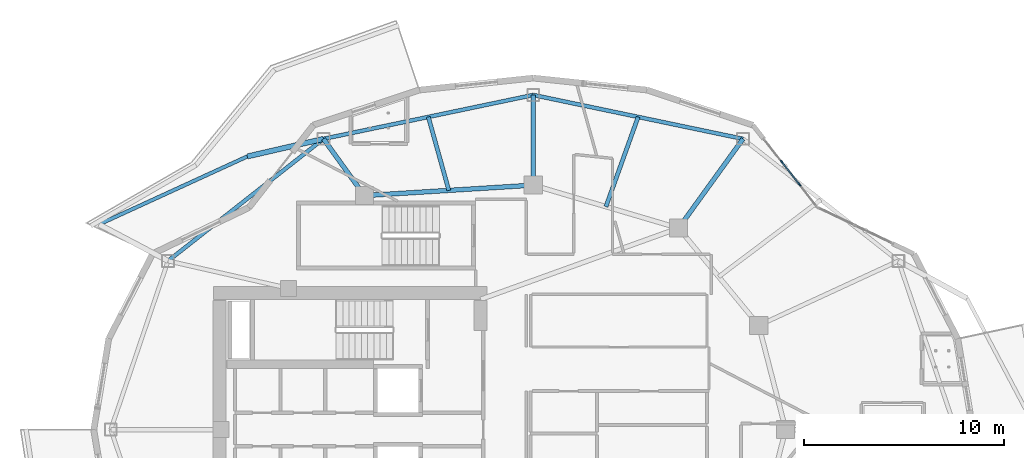
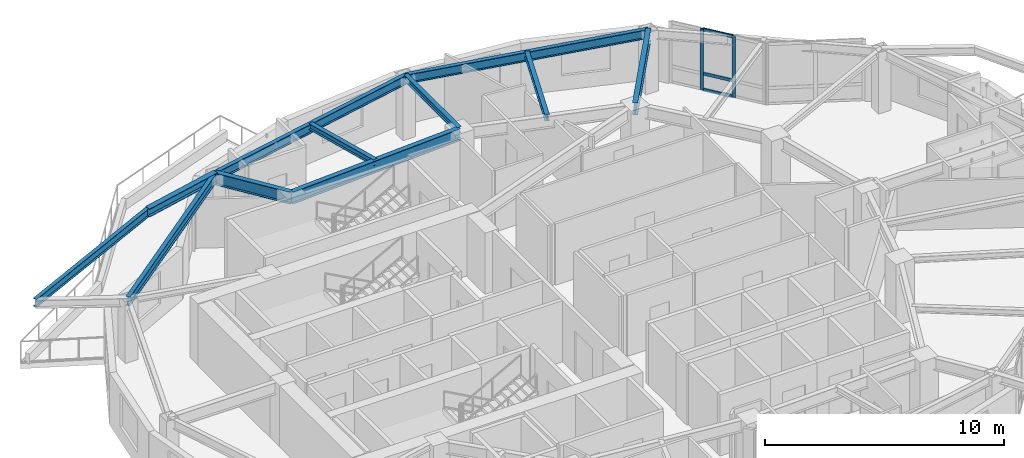
# One storey, part 5 of 18: 11 beams, 5 members, 1 element without a shape of its own.
"""IFC4 building model written with IfcOpenShell, lengths in metres."""

from ifc_helpers import new_model, si_unit, direction, frame, origin, origin_2d, place, context, subcontext, project, spatial, rectangle, i_section, extrude, material, layer, layer_set, material_profile, profile_set, type_object, element, aggregate, save


model = new_model("IFC4")

# Units and contexts
model_context = context("Model", 3, precision=1e-05, world=origin(), true_north=direction((0.0, 1.0)))
body_context = subcontext(model_context, "Body", "Model", "MODEL_VIEW")
ifc_project = project(units=[si_unit("LENGTHUNIT", "METRE"), si_unit("AREAUNIT", "SQUARE_METRE"), si_unit("VOLUMEUNIT", "CUBIC_METRE"), si_unit("PLANEANGLEUNIT", "RADIAN"), si_unit("MASSUNIT", "GRAM", prefix="KILO")], contexts=[model_context])

# Site, building, storey
site_placement = place(None, origin())
site = spatial("IfcSite", under=ifc_project, at=site_placement, CompositionType="ELEMENT")
building_placement = place(site_placement, origin())
building = spatial("IfcBuilding", under=site, at=building_placement, Name="Kolvaren Gate Tower and Convention Centre", CompositionType="ELEMENT")
storey_placement = place(building_placement, frame((0.0, 0.0, 176.699951171875)))
storey = spatial("IfcBuildingStorey", under=building, at=storey_placement, Name="L46", CompositionType="ELEMENT", Elevation=176.699951171875)

# Curtain wall, members
ifc_material_1 = material(Name="Anodized Architectural Aluminium Alloy 6063-T6", Category="aluminium")
ifc_layer = layer(ifc_material_1, 0.159912109375)
ifc_layer_set = layer_set([ifc_layer], Name="Anodized Architectural Aluminium Alloy 6063-T6")
curtain_wall_type = type_object("IfcCurtainWallType", Name="CW-HTL-UNIT", PredefinedType="NOTDEFINED", material=ifc_layer_set)
curtain_wall_placement = place(storey_placement, origin())
curtain_wall = element("IfcCurtainWall", 1, at=curtain_wall_placement, inside=storey, type_object=curtain_wall_type, Name="Tower L46 Unitised Curtain Wall CW-HTL-UNIT Bay 03", PredefinedType="NOTDEFINED")
ifc_material_profile_1 = material_profile(ifc_material_1, rectangle(XDim=0.06494140625, YDim=0.159912109375, at=origin_2d()), Name="CW-MEM-MUL-160")
ifc_profile_set_1 = profile_set([ifc_material_profile_1], Name="Anodized Architectural Aluminium Alloy 6063-T6")
member_type_1 = type_object("IfcMemberType", Name="CW-MEM-MUL-160", PredefinedType="MULLION", material=ifc_profile_set_1)
member_1_placement = place(storey_placement, frame((42.527099609375, 40.367919921875, 0.0), z_axis=(0.0, 0.0, 1.0), x_axis=(0.787403535469, 0.616437890084, 0.0)))
member_1 = element("IfcMember", 2, at=member_1_placement, type_object=member_type_1, Name="CW-03 mullion 2", PredefinedType="MULLION", context=body_context, shape_type="SweptSolid", body=[
    extrude(rectangle(XDim=0.06494140625, YDim=0.159912109375, at=origin_2d()), origin(), (0.0, 0.0, 1.0), 3.130126953125),
])
member_2_placement = place(storey_placement, frame((43.420166015625, 39.22705078125, 0.0), z_axis=(0.0, 0.0, 1.0), x_axis=(0.787403535469, 0.616437890084, 0.0)))
member_2 = element("IfcMember", 3, at=member_2_placement, type_object=member_type_1, Name="CW-03 mullion 3", PredefinedType="MULLION", context=body_context, shape_type="SweptSolid", body=[
    extrude(rectangle(XDim=0.06494140625, YDim=0.159912109375, at=origin_2d()), origin(), (0.0, 0.0, 1.0), 3.130126953125),
])
ifc_material_profile_2 = material_profile(ifc_material_1, rectangle(XDim=0.06494140625, YDim=0.159912109375, at=origin_2d()), Name="CW-MEM-TRN-160")
ifc_profile_set_2 = profile_set([ifc_material_profile_2], Name="Anodized Architectural Aluminium Alloy 6063-T6")
member_type_2 = type_object("IfcMemberType", Name="CW-MEM-TRN-160", PredefinedType="USERDEFINED", material=ifc_profile_set_2)
member_3_placement = place(storey_placement, frame((42.547119140625, 40.34228515625, 0.032470703125), z_axis=(0.616355825524, -0.787467774796, 0.0), x_axis=(0.787467774796, 0.616355825524, 0.0)))
member_3 = element("IfcMember", 4, at=member_3_placement, type_object=member_type_2, Name="CW-03 transom 2.1", ObjectType="TRANSOM", PredefinedType="USERDEFINED", context=body_context, shape_type="SweptSolid", body=[
    extrude(rectangle(XDim=0.06494140625, YDim=0.159912109375, at=origin_2d()), origin(), (0.0, 0.0, 1.0), 1.384033203125),
])
member_4_placement = place(storey_placement, frame((42.547119140625, 40.34228515625, 0.85009765625), z_axis=(0.616355825524, -0.787467774796, 0.0), x_axis=(0.787467774796, 0.616355825524, 0.0)))
member_4 = element("IfcMember", 5, at=member_4_placement, type_object=member_type_2, Name="CW-03 transom 2.2", ObjectType="TRANSOM", PredefinedType="USERDEFINED", context=body_context, shape_type="SweptSolid", body=[
    extrude(rectangle(XDim=0.06494140625, YDim=0.159912109375, at=origin_2d()), origin(), (0.0, 0.0, 1.0), 1.384033203125),
])
member_5_placement = place(storey_placement, frame((42.547119140625, 40.34228515625, 3.09765625), z_axis=(0.616355825524, -0.787467774796, 0.0), x_axis=(0.787467774796, 0.616355825524, 0.0)))
member_5 = element("IfcMember", 6, at=member_5_placement, type_object=member_type_2, Name="CW-03 transom 2.3", ObjectType="TRANSOM", PredefinedType="USERDEFINED", context=body_context, shape_type="SweptSolid", body=[
    extrude(rectangle(XDim=0.06494140625, YDim=0.159912109375, at=origin_2d()), origin(), (0.0, 0.0, 1.0), 1.384033203125),
])
aggregate(curtain_wall, [member_1, member_2, member_3, member_4, member_5])

# Beams
ifc_material_2 = material(Name="Structural steel ASTM A992 Grade 345 MPa", Category="steel")
ifc_material_profile_3 = material_profile(ifc_material_2, i_section(OverallWidth=0.260009765625, OverallDepth=0.419921875, WebThickness=0.013427734375, FlangeThickness=0.0224609375, at=origin_2d()), Name="W410X132")
ifc_profile_set_3 = profile_set([ifc_material_profile_3], Name="Structural steel ASTM A992 Grade 345 MPa")
beam_type_1 = type_object("IfcBeamType", Name="STR-BM-W410X132", PredefinedType="BEAM", material=ifc_profile_set_3)
beam_1_placement = place(storey_placement, frame((19.65380859375, 41.509521484375, 2.920654296875), z_axis=(-0.974393305681, -0.224850363228, 0.0), x_axis=(0.224850363228, -0.974393305681, 0.0)))
element("IfcBeam", 7, at=beam_1_placement, inside=storey, type_object=beam_type_1, Name="Tower L47 Planted Balcony Outrigger Cantilever BC-1A", PredefinedType="BEAM", context=body_context, shape_type="SweptSolid", body=[
    extrude(i_section(OverallWidth=0.260009765625, OverallDepth=0.419921875, WebThickness=0.013427734375, FlangeThickness=0.0224609375, at=origin_2d()), origin(), (0.0, 0.0, 1.0), 3.900146484375),
])
ifc_material_profile_4 = material_profile(ifc_material_2, i_section(OverallWidth=0.22998046875, OverallDepth=0.616943359375, WebThickness=0.01318359375, FlangeThickness=0.022216796875, at=origin_2d()), Name="W610X140")
ifc_profile_set_4 = profile_set([ifc_material_profile_4], Name="Structural steel ASTM A992 Grade 345 MPa")
beam_type_2 = type_object("IfcBeamType", Name="STR-BM-W610X140", PredefinedType="BEAM", material=ifc_profile_set_4)
beam_2_placement = place(storey_placement, frame((30.125, 39.199951171875, 2.821533203125), z_axis=(-0.998078258568, -0.06196603726, 0.0), x_axis=(0.06196603726, -0.998078258568, 0.0)))
element("IfcBeam", 8, at=beam_2_placement, inside=storey, type_object=beam_type_2, Name="Tower L46 Primary Ring Girder G-04", PredefinedType="BEAM", context=body_context, shape_type="SweptSolid", body=[
    extrude(i_section(OverallWidth=0.22998046875, OverallDepth=0.616943359375, WebThickness=0.01318359375, FlangeThickness=0.022216796875, at=origin_2d()), origin(), (0.0, 0.0, 1.0), 8.443115234375),
])
beam_3_placement = place(storey_placement, frame((37.381591796875, 37.054931640625, 2.821533203125), z_axis=(0.58520818289, 0.810883088169, 0.0), x_axis=(-0.810883088169, 0.58520818289, 0.0)))
element("IfcBeam", 9, at=beam_3_placement, inside=storey, type_object=beam_type_2, Name="Tower L46 Radial Floor Girder RB-03", PredefinedType="BEAM", context=body_context, shape_type="SweptSolid", body=[
    extrude(i_section(OverallWidth=0.22998046875, OverallDepth=0.616943359375, WebThickness=0.01318359375, FlangeThickness=0.022216796875, at=origin_2d()), origin(), (0.0, 0.0, 1.0), 5.493408203125),
])
beam_4_placement = place(storey_placement, frame((21.697998046875, 38.6767578125, 2.821533203125), z_axis=(-0.585171547435, 0.810909526441, 0.0), x_axis=(-0.810909526441, -0.585171547435, 0.0)))
element("IfcBeam", 10, at=beam_4_placement, inside=storey, type_object=beam_type_2, Name="Tower L46 Radial Floor Girder RB-05", PredefinedType="BEAM", context=body_context, shape_type="SweptSolid", body=[
    extrude(i_section(OverallWidth=0.22998046875, OverallDepth=0.616943359375, WebThickness=0.01318359375, FlangeThickness=0.022216796875, at=origin_2d()), origin(), (0.0, 0.0, 1.0), 3.493408203125),
])
ifc_material_profile_5 = material_profile(ifc_material_2, i_section(OverallWidth=0.205078125, OverallDepth=0.31005859375, WebThickness=0.009521484375, FlangeThickness=0.016357421875, at=origin_2d()), Name="W310X74")
ifc_profile_set_5 = profile_set([ifc_material_profile_5], Name="Structural steel ASTM A992 Grade 345 MPa")
beam_type_3 = type_object("IfcBeamType", Name="STR-JS-W310X74", PredefinedType="JOIST", material=ifc_profile_set_5)
beam_5_placement = place(storey_placement, frame((30.125, 39.199951171875, 2.97509765625), z_axis=(0.0, 1.0, 0.0), x_axis=(-1.0, 0.0, 0.0)))
element("IfcBeam", 11, at=beam_5_placement, inside=storey, type_object=beam_type_3, Name="Tower L46 Radial Floor Girder RB-04", PredefinedType="JOIST", context=body_context, shape_type="SweptSolid", body=[
    extrude(i_section(OverallWidth=0.205078125, OverallDepth=0.31005859375, WebThickness=0.009521484375, FlangeThickness=0.016357421875, at=origin_2d()), origin(), (0.0, 0.0, 1.0), 4.5),
])
beam_6_placement = place(storey_placement, frame((33.75341796875, 38.12744140625, 2.97509765625), z_axis=(0.33785426197, 0.941198436924, 0.0), x_axis=(-0.941198436924, 0.33785426197, 0.0)))
element("IfcBeam", 12, at=beam_6_placement, inside=storey, type_object=beam_type_3, Name="Tower L46 Secondary Composite Floor Joist J-03.1", PredefinedType="JOIST", context=body_context, shape_type="SweptSolid", body=[
    extrude(i_section(OverallWidth=0.205078125, OverallDepth=0.31005859375, WebThickness=0.009521484375, FlangeThickness=0.016357421875, at=origin_2d()), origin(), (0.0, 0.0, 1.0), 4.757080078125),
])
beam_7_placement = place(storey_placement, frame((25.91162109375, 38.938232421875, 2.97509765625), z_axis=(-0.26855678261, 0.963263855085, 0.0), x_axis=(-0.963263855085, -0.26855678261, 0.0)))
element("IfcBeam", 13, at=beam_7_placement, inside=storey, type_object=beam_type_3, Name="Tower L46 Secondary Composite Floor Joist J-04.1", PredefinedType="JOIST", context=body_context, shape_type="SweptSolid", body=[
    extrude(i_section(OverallWidth=0.205078125, OverallDepth=0.31005859375, WebThickness=0.009521484375, FlangeThickness=0.016357421875, at=origin_2d()), origin(), (0.0, 0.0, 1.0), 3.806396484375),
])
ifc_material_profile_6 = material_profile(ifc_material_2, i_section(OverallWidth=0.180908203125, OverallDepth=0.4169921875, WebThickness=0.010986328125, FlangeThickness=0.018310546875, at=origin_2d()), Name="W410X85")
ifc_profile_set_6 = profile_set([ifc_material_profile_6], Name="Structural steel ASTM A992 Grade 345 MPa")
beam_type_4 = type_object("IfcBeamType", Name="STR-SP-W410X85", PredefinedType="SPANDREL", material=ifc_profile_set_6)
beam_8_placement = place(storey_placement, frame((15.853515625, 40.632568359375, 2.922119140625), z_axis=(-0.909086110351, -0.416608262, 0.0), x_axis=(0.416608262, -0.909086110351, 0.0)))
element("IfcBeam", 14, at=beam_8_placement, inside=storey, type_object=beam_type_4, Name="Tower L47 Planted Balcony Header Tie Beam BT-1", PredefinedType="SPANDREL", context=body_context, shape_type="SweptSolid", body=[
    extrude(i_section(OverallWidth=0.180908203125, OverallDepth=0.4169921875, WebThickness=0.010986328125, FlangeThickness=0.018310546875, at=origin_2d()), origin(), (0.0, 0.0, 1.0), 8.14453125),
])
ifc_material_profile_7 = material_profile(ifc_material_2, i_section(OverallWidth=0.194091796875, OverallDepth=0.468994140625, WebThickness=0.0126953125, FlangeThickness=0.0205078125, at=origin_2d()), Name="W460X106")
ifc_profile_set_7 = profile_set([ifc_material_profile_7], Name="Structural steel ASTM A992 Grade 345 MPa")
beam_type_5 = type_object("IfcBeamType", Name="STR-SP-W460X106", PredefinedType="SPANDREL", material=ifc_profile_set_7)
beam_9_placement = place(storey_placement, frame((40.596435546875, 41.509521484375, 2.8955078125), z_axis=(-0.978814350133, 0.204749769168, 0.0), x_axis=(-0.204749769168, -0.978814350133, 0.0)))
element("IfcBeam", 15, at=beam_9_placement, inside=storey, type_object=beam_type_5, Name="Tower L46 Perimeter Spandrel Beam SP-03", PredefinedType="SPANDREL", context=body_context, shape_type="SweptSolid", body=[
    extrude(i_section(OverallWidth=0.194091796875, OverallDepth=0.468994140625, WebThickness=0.0126953125, FlangeThickness=0.0205078125, at=origin_2d()), origin(), (0.0, 0.0, 1.0), 10.697998046875),
])
beam_10_placement = place(storey_placement, frame((30.125, 43.699951171875, 2.8955078125), z_axis=(-0.978813393389, -0.204754342865, 0.0), x_axis=(0.204754342865, -0.978813393389, 0.0)))
element("IfcBeam", 16, at=beam_10_placement, inside=storey, type_object=beam_type_5, Name="Tower L46 Perimeter Spandrel Beam SP-04", PredefinedType="SPANDREL", context=body_context, shape_type="SweptSolid", body=[
    extrude(i_section(OverallWidth=0.194091796875, OverallDepth=0.468994140625, WebThickness=0.0126953125, FlangeThickness=0.0205078125, at=origin_2d()), origin(), (0.0, 0.0, 1.0), 10.69775390625),
])
beam_11_placement = place(storey_placement, frame((19.65380859375, 41.509521484375, 2.8955078125), z_axis=(-0.786460066421, -0.617641128752, 0.0), x_axis=(0.617641128752, -0.786460066421, 0.0)))
element("IfcBeam", 17, at=beam_11_placement, inside=storey, type_object=beam_type_5, Name="Tower L46 Perimeter Spandrel Beam SP-05", PredefinedType="SPANDREL", context=body_context, shape_type="SweptSolid", body=[
    extrude(i_section(OverallWidth=0.194091796875, OverallDepth=0.468994140625, WebThickness=0.0126953125, FlangeThickness=0.0205078125, at=origin_2d()), origin(), (0.0, 0.0, 1.0), 9.861328125),
])

save(model, "model.ifc")
